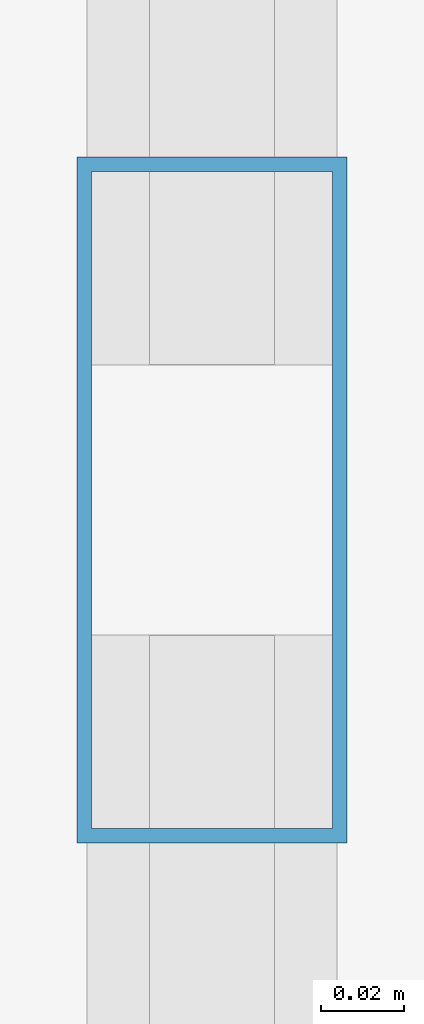
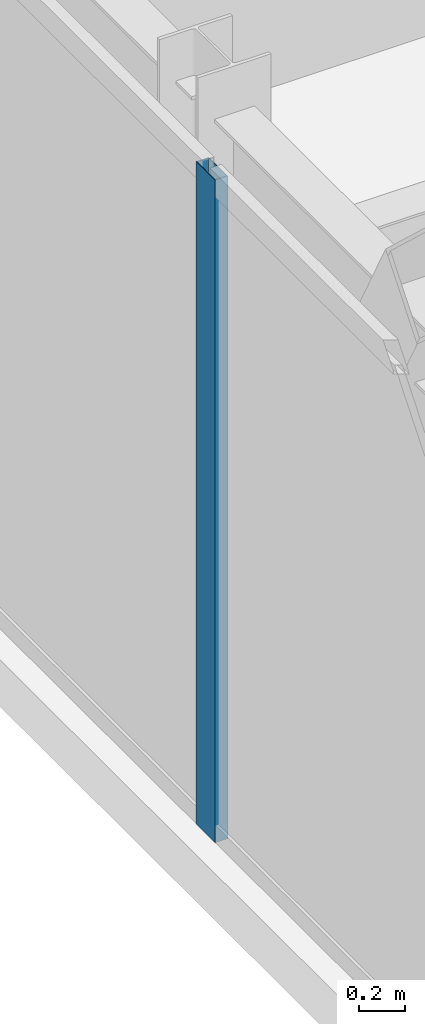
# One storey, part 10 of 31: 1 member, 1 element without a shape of its own.
"""IFC4 building model written with IfcOpenShell, lengths in metres."""

from ifc_helpers import new_model, si_unit, direction, frame, origin, origin_2d, place, context, subcontext, project, spatial, hollow_rectangle, extrude, source, transform, mapped, material, layer, layer_set, material_profile, profile_set, type_object, type_shapes, element, aggregate, save


model = new_model("IFC4")

# Units and contexts
model_context = context("Model", 3, precision=1e-05, world=origin(), true_north=direction((0.0, 1.0)))
body_context = subcontext(model_context, "Body", "Model", "MODEL_VIEW")
ifc_project = project(units=[si_unit("LENGTHUNIT", "METRE"), si_unit("AREAUNIT", "SQUARE_METRE"), si_unit("VOLUMEUNIT", "CUBIC_METRE"), si_unit("PLANEANGLEUNIT", "RADIAN"), si_unit("MASSUNIT", "GRAM", prefix="KILO")], contexts=[model_context])

# Site, building, storey
site_placement = place(None, origin())
site = spatial("IfcSite", under=ifc_project, at=site_placement, CompositionType="ELEMENT")
building_placement = place(site_placement, origin())
building = spatial("IfcBuilding", under=site, at=building_placement, Name="Varnel Quay Broadcast Tower", CompositionType="ELEMENT")
storey_placement = place(building_placement, frame((0.0, 0.0, 215.0)))
storey = spatial("IfcBuildingStorey", under=building, at=storey_placement, Name="L53", CompositionType="ELEMENT", Elevation=215.0)

# Curtain wall, member
ifc_material = material(Name="Anodised Bronze Aluminium 6063-T6", Category="aluminium")
ifc_layer = layer(ifc_material, 0.18994140625, Name="Anodised Bronze Aluminium 6063-T6")
ifc_layer_set = layer_set([ifc_layer], Name="Anodised Bronze Aluminium 6063-T6")
curtain_wall_type = type_object("IfcCurtainWallType", Name="CW_UpperTower", PredefinedType="NOTDEFINED", material=ifc_layer_set)
curtain_wall_placement = place(storey_placement, origin())
curtain_wall = element("IfcCurtainWall", 1, at=curtain_wall_placement, inside=storey, type_object=curtain_wall_type, Name="L53 West Unitised Curtain Wall", PredefinedType="NOTDEFINED")
ifc_material_profile = material_profile(ifc_material, hollow_rectangle(XDim=0.06494140625, YDim=0.1650390625, WallThickness=0.00341796875, at=origin_2d()), Name="ALU65X165X3.5")
ifc_profile_set = profile_set([ifc_material_profile], Name="Anodised Bronze Aluminium 6063-T6")
member_type = type_object("IfcMemberType", Name="Mull_CWS-03", PredefinedType="MULLION", material=ifc_profile_set)
shared_shape = source(origin(), body_context, "Body", "SweptSolid", [
    extrude(hollow_rectangle(XDim=0.06494140625, YDim=0.1650390625, WallThickness=0.00341796875, at=origin_2d()), origin(), (0.0, 0.0, 1.0), 3.550048828125),
])
type_shapes(member_type, [shared_shape])
member_placement = place(storey_placement, frame((9.64990234375, 28.5, 0.0), z_axis=(0.0, 0.0, 1.0), x_axis=(-1.0, 0.0, 0.0)))
member = element("IfcMember", 2, at=member_placement, type_object=member_type, Name="CWS-03 mullion 2", PredefinedType="MULLION", context=body_context, shape_type="MappedRepresentation", body=[
    mapped(shared_shape, transform((0.0, 0.0, 0.0), x_axis=(1.0, 0.0, 0.0), y_axis=(0.0, 1.0, 0.0), z_axis=(0.0, 0.0, 1.0), scale=1.0)),
])
aggregate(curtain_wall, [member])

save(model, "model.ifc")
